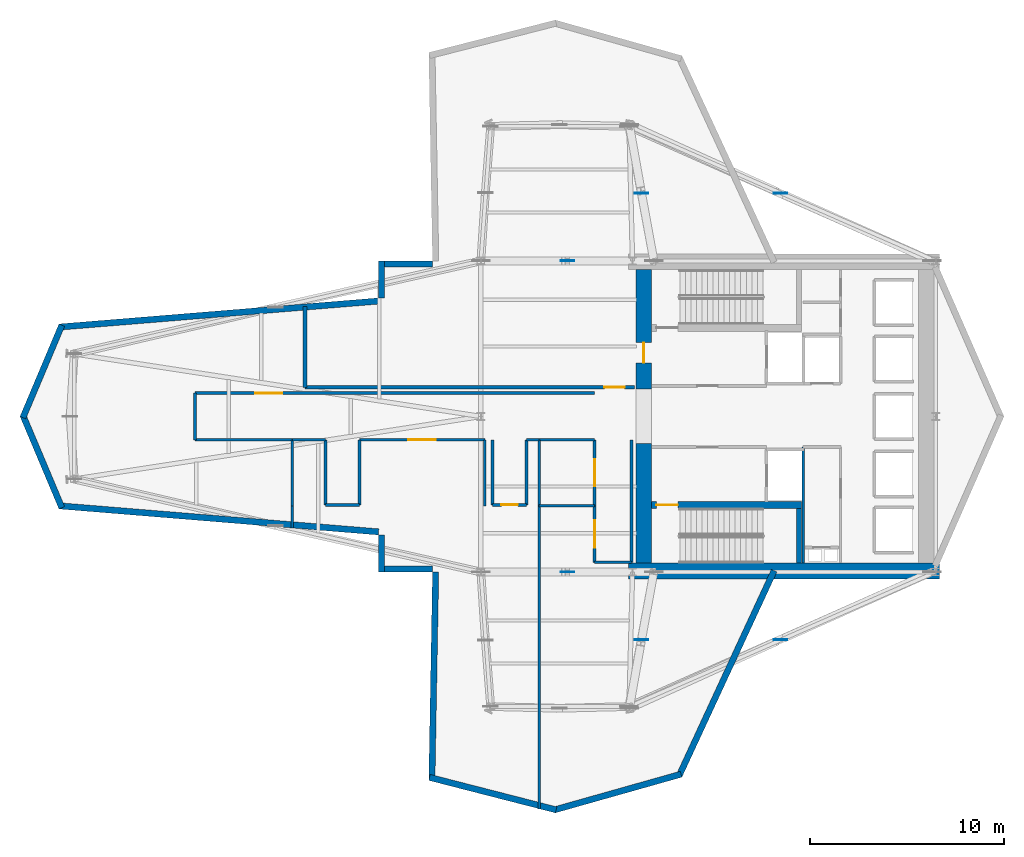
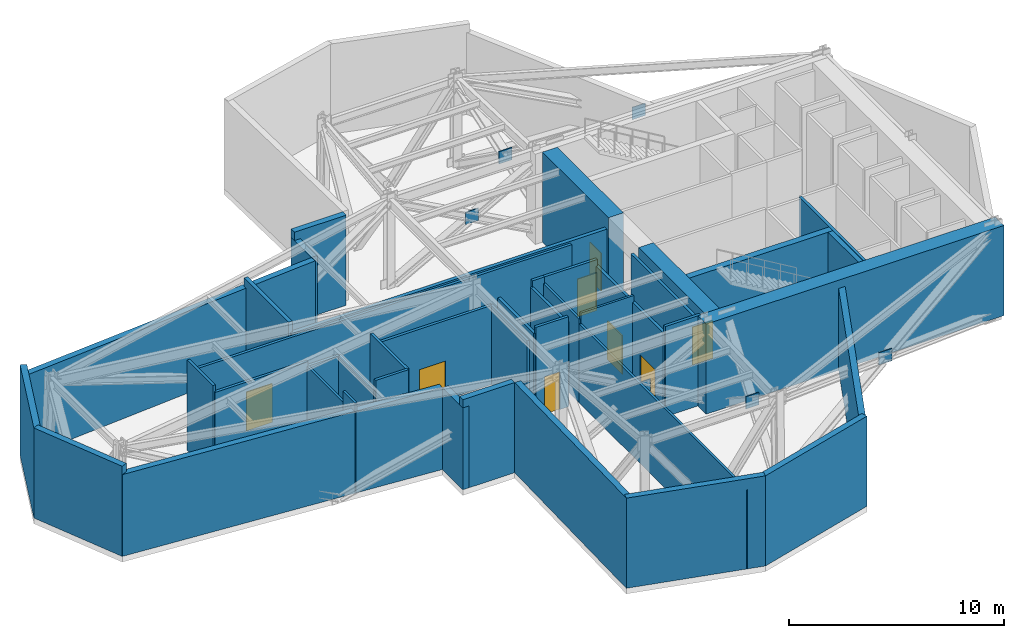
# One storey, part 3 of 6: 43 walls, 8 doors, 6 plates, 8 openings.
"""IFC4 building model written with IfcOpenShell, lengths in metres."""

from ifc_helpers import new_model, si_unit, direction, frame, frame_2d, origin, origin_2d, place, context, subcontext, project, spatial, rectangle, extrude, material, layer, layer_set, type_object, element, fill, save


model = new_model("IFC4")

# Units and contexts
model_context = context("Model", 3, precision=1e-05, world=origin(), true_north=direction((0.0, 1.0)))
body_context = subcontext(model_context, "Body", "Model", "MODEL_VIEW")
ifc_project = project(units=[si_unit("LENGTHUNIT", "METRE"), si_unit("AREAUNIT", "SQUARE_METRE"), si_unit("VOLUMEUNIT", "CUBIC_METRE"), si_unit("PLANEANGLEUNIT", "RADIAN"), si_unit("MASSUNIT", "GRAM", prefix="KILO")], contexts=[model_context])

# Site, building, storey
site_placement = place(None, origin())
site = spatial("IfcSite", under=ifc_project, at=site_placement, CompositionType="ELEMENT")
building_placement = place(site_placement, origin())
building = spatial("IfcBuilding", under=site, at=building_placement, Name="Veymaron Broadcast Tower", CompositionType="ELEMENT")
storey_placement = place(building_placement, frame((0.0, 0.0, 106.64990234375)))
storey = spatial("IfcBuildingStorey", under=building, at=storey_placement, Name="L24", CompositionType="ELEMENT", Elevation=106.64990234375)

# Plates
ifc_material_1 = material(Name="Structural steel ASTM A913 Gr 65", Category="steel")
ifc_layer_1 = layer(ifc_material_1, 0.044921875)
ifc_layer_set_1 = layer_set([ifc_layer_1], Name="Structural steel ASTM A913 Gr 65")
plate_type = type_object("IfcPlateType", Name="PLT-NODE-XN1", PredefinedType="SHEET", material=ifc_layer_set_1)
for number, where, z_axis, x_axis, name in (
    (1, (35.64990234375, 32.0, 2.09521484375), (0.0, 0.0, 1.0), (1.0, 0.0, 0.0), "L24 Outrigger X-brace crossing gusset node XN1"),
    (2, (35.64990234375, 16.0, 2.09521484375), (0.0, 0.0, 1.0), (1.0, 0.0, 0.0), "L24 Outrigger X-brace crossing gusset node XN1"),
    (3, (39.4638671875, 35.482421875, 2.09521484375), (0.0, 0.0, 1.0), (1.0, 0.0, 0.0), "L24 Outrigger X-brace crossing gusset node XN1"),
    (4, (39.4638671875, 12.517578125, 2.09521484375), (0.0, 0.0, 1.0), (1.0, 0.0, 0.0), "L24 Outrigger X-brace crossing gusset node XN1"),
    (5, (46.61376953125, 35.482421875, 2.09521484375), (0.0, 0.0, 1.0), (1.0, 0.0, 0.0), "L24 Outrigger X-brace crossing gusset node XN1"),
    (6, (46.61376953125, 12.517578125, 2.09521484375), (0.0, 0.0, 1.0), (1.0, 0.0, 0.0), "L24 Outrigger X-brace crossing gusset node XN1"),
):
    element("IfcPlate", number, at=place(storey_placement, frame(where, z_axis=z_axis, x_axis=x_axis)), inside=storey, type_object=plate_type, Name=name, PredefinedType="SHEET", context=body_context, shape_type="SweptSolid", body=[
        extrude(rectangle(XDim=0.699951171875, YDim=0.044921875, at=origin_2d()), origin(), (0.0, 0.0, 1.0), 0.699951171875),
    ])

# Walls
ifc_material_2 = material(Name="Precast concrete C40/50", Category="concrete")
ifc_layer_2 = layer(ifc_material_2, 0.320068359375)
ifc_layer_set_2 = layer_set([ifc_layer_2], Name="Precast concrete C40/50")
wall_type_1 = type_object("IfcWallType", Name="WALL-EXT-320", PredefinedType="STANDARD", material=ifc_layer_set_2)
wall_1_placement = place(storey_placement, frame((28.713623046875, 31.840087890625, 0.0), z_axis=(0.0, 0.0, 1.0), x_axis=(-1.0, 0.0, 0.0)))
element("IfcWall", 7, at=wall_1_placement, inside=storey, type_object=wall_type_1, Name="L24 mechanical belt-truss facade band 9-1", PredefinedType="STANDARD", context=body_context, shape_type="SweptSolid", body=[
    extrude(rectangle(XDim=2.78564453125, YDim=0.320068359375, at=frame_2d((1.392822265625, 0.0))), origin(), (0.0, 0.0, 1.0), 5.1201171875),
])
wall_2_placement = place(storey_placement, frame((26.087890625, 32.0, 0.0), z_axis=(0.0, 0.0, 1.0), x_axis=(0.0, -1.0, 0.0)))
element("IfcWall", 8, at=wall_2_placement, inside=storey, type_object=wall_type_1, Name="L24 mechanical belt-truss facade band 10-1", PredefinedType="STANDARD", context=body_context, shape_type="SweptSolid", body=[
    extrude(rectangle(XDim=1.903076171875, YDim=0.320068359375, at=frame_2d((0.95166015625, 0.0))), origin(), (0.0, 0.0, 1.0), 4.648193359375),
])
wall_3_placement = place(storey_placement, frame((25.94091796875, 29.9375, 0.0), z_axis=(0.0, 0.0, 1.0), x_axis=(-0.996692994059, -0.081259310815, 0.0)))
element("IfcWall", 9, at=wall_3_placement, inside=storey, type_object=wall_type_1, Name="L24 mechanical belt-truss facade band 11-1", PredefinedType="STANDARD", context=body_context, shape_type="SweptSolid", body=[
    extrude(rectangle(XDim=16.482421875, YDim=0.320068359375, at=frame_2d((8.2412109375, 0.0))), origin(), (0.0, 0.0, 1.0), 4.648193359375),
])
for number, where, z_axis, x_axis, name in (
    (10, (9.6474609375, 28.695556640625, 0.0), (0.0, 0.0, 1.0), (-0.38817539458, -0.92158551586, 0.0), "L24 mechanical belt-truss facade band 12-1"),
    (11, (7.6435546875, 24.06201171875, 0.0), (0.0, 0.0, 1.0), (0.38817539458, -0.92158551586, 0.0), "L24 mechanical belt-truss facade band 13-1"),
):
    element("IfcWall", number, at=place(storey_placement, frame(where, z_axis=z_axis, x_axis=x_axis)), inside=storey, type_object=wall_type_1, Name=name, PredefinedType="STANDARD", context=body_context, shape_type="SweptSolid", body=[
        extrude(rectangle(XDim=5.162353515625, YDim=0.320068359375, at=frame_2d((2.5810546875, 0.0))), origin(), (0.0, 0.0, 1.0), 5.1201171875),
    ])
wall_4_placement = place(storey_placement, frame((9.512939453125, 19.40185546875, 0.0), z_axis=(0.0, 0.0, 1.0), x_axis=(0.996692994059, -0.081259310815, 0.0)))
element("IfcWall", 12, at=wall_4_placement, inside=storey, type_object=wall_type_1, Name="L24 mechanical belt-truss facade band 14-1", PredefinedType="STANDARD", context=body_context, shape_type="SweptSolid", body=[
    extrude(rectangle(XDim=16.482421875, YDim=0.320068359375, at=frame_2d((8.2412109375, 0.0))), origin(), (0.0, 0.0, 1.0), 4.648193359375),
])
wall_5_placement = place(storey_placement, frame((26.087890625, 17.903076171875, 0.0), z_axis=(0.0, 0.0, 1.0), x_axis=(0.0, -1.0, 0.0)))
element("IfcWall", 13, at=wall_5_placement, inside=storey, type_object=wall_type_1, Name="L24 mechanical belt-truss facade band 15-1", PredefinedType="STANDARD", context=body_context, shape_type="SweptSolid", body=[
    extrude(rectangle(XDim=1.903076171875, YDim=0.320068359375, at=frame_2d((0.95166015625, 0.0))), origin(), (0.0, 0.0, 1.0), 4.648193359375),
])
wall_6_placement = place(storey_placement, frame((25.927978515625, 16.159912109375, 0.0), z_axis=(0.0, 0.0, 1.0), x_axis=(1.0, 0.0, 0.0)))
element("IfcWall", 14, at=wall_6_placement, inside=storey, type_object=wall_type_1, Name="L24 mechanical belt-truss facade band 16-1", PredefinedType="STANDARD", context=body_context, shape_type="SweptSolid", body=[
    extrude(rectangle(XDim=2.78564453125, YDim=0.320068359375, at=frame_2d((1.392822265625, 0.0))), origin(), (0.0, 0.0, 1.0), 5.1201171875),
])
wall_7_placement = place(storey_placement, frame((28.87353515625, 15.9970703125, 0.0), z_axis=(0.0, 0.0, 1.0), x_axis=(-0.017987206329, -0.999838217117, 0.0)))
element("IfcWall", 15, at=wall_7_placement, inside=storey, type_object=wall_type_1, Name="L24 mechanical belt-truss facade band 17-1", PredefinedType="STANDARD", context=body_context, shape_type="SweptSolid", body=[
    extrude(rectangle(XDim=10.72265625, YDim=0.320068359375, at=frame_2d((5.361328125, 0.0))), origin(), (0.0, 0.0, 1.0), 5.1201171875),
])
wall_8_placement = place(storey_placement, frame((28.560546875, 5.43408203125, 0.0), z_axis=(0.0, 0.0, 1.0), x_axis=(0.968632710221, -0.248496826319, 0.0)))
element("IfcWall", 16, at=wall_8_placement, inside=storey, type_object=wall_type_1, Name="L24 mechanical belt-truss facade band 18-1", PredefinedType="STANDARD", context=body_context, shape_type="SweptSolid", body=[
    extrude(rectangle(XDim=6.72119140625, YDim=0.320068359375, at=frame_2d((3.360595703125, 0.0))), origin(), (0.0, 0.0, 1.0), 5.1201171875),
])
wall_9_placement = place(storey_placement, frame((34.987548828125, 3.762939453125, 0.0), z_axis=(0.0, 0.0, 1.0), x_axis=(0.962413642038, 0.27158788931, 0.0)))
element("IfcWall", 17, at=wall_9_placement, inside=storey, type_object=wall_type_1, Name="L24 mechanical belt-truss facade band 19-1", PredefinedType="STANDARD", context=body_context, shape_type="SweptSolid", body=[
    extrude(rectangle(XDim=6.764404296875, YDim=0.320068359375, at=frame_2d((3.38232421875, 0.0))), origin(), (0.0, 0.0, 1.0), 5.1201171875),
])
wall_10_placement = place(storey_placement, frame((41.39599609375, 5.51318359375, 0.0), z_axis=(0.0, 0.0, 1.0), x_axis=(0.420271770487, 0.907398280212, 0.0)))
element("IfcWall", 18, at=wall_10_placement, inside=storey, type_object=wall_type_1, Name="L24 mechanical belt-truss facade band 20-1", PredefinedType="STANDARD", context=body_context, shape_type="SweptSolid", body=[
    extrude(rectangle(XDim=11.631103515625, YDim=0.320068359375, at=frame_2d((5.8154296875, 0.0))), origin(), (0.0, 0.0, 1.0), 4.648193359375),
])
ifc_material_3 = material(Name="Gypsum fireboard and steel stud framing", Category="steel")
ifc_layer_3 = layer(ifc_material_3, 0.14990234375)
ifc_layer_set_3 = layer_set([ifc_layer_3], Name="Gypsum fireboard and steel stud framing")
wall_type_2 = type_object("IfcWallType", Name="WALL-FIRE-150", PredefinedType="PARTITIONING", material=ifc_layer_set_3)
wall_11_placement = place(storey_placement, frame((47.780029296875, 16.449951171875, 0.0), z_axis=(0.0, 0.0, 1.0), x_axis=(0.0, 1.0, 0.0)))
element("IfcWall", 19, at=wall_11_placement, inside=storey, type_object=wall_type_2, Name="L24 partition IW-L24-SM-W", PredefinedType="PARTITIONING", context=body_context, shape_type="SweptSolid", body=[
    extrude(rectangle(XDim=5.97509765625, YDim=0.14990234375, at=frame_2d((2.987548828125, 0.0))), origin(), (0.0, 0.0, 1.0), 5.1201171875),
])

# Wall, opening, door
wall_12_placement = place(storey_placement, frame((37.050048828125, 16.5, 0.0), z_axis=(0.0, 0.0, 1.0), x_axis=(0.0, 1.0, 0.0)))
wall_12 = element("IfcWall", 20, at=wall_12_placement, inside=storey, type_object=wall_type_2, Name="L24 partition IW-L24-P02", PredefinedType="PARTITIONING", context=body_context, shape_type="SweptSolid", body=[
    extrude(rectangle(XDim=2.89990234375, YDim=0.14990234375, at=frame_2d((1.449951171875, 0.0))), origin(), (0.0, 0.0, 1.0), 4.753173828125),
])
opening_1_placement = place(wall_12_placement, frame((0.75, 0.0, 0.0)))
opening_1 = element("IfcOpeningElement", 21, at=opening_1_placement, cuts=wall_12, Name="Opening ID-PL1", PredefinedType="OPENING", context=body_context, shape_type="SweptSolid", body=[
    extrude(rectangle(XDim=1.39990234375, YDim=2.199951171875, at=frame_2d((0.699951171875, 1.10009765625))), frame((0.0, 0.0849609375, 0.0), z_axis=(0.0, -1.0, 0.0), x_axis=(1.0, 0.0, 0.0)), (0.0, 0.0, 1.0), 0.169921875),
])
ifc_material_4 = material(Name="Heavy-duty acoustic galvanized steel", Category="steel")
door_type_1 = type_object("IfcDoorType", Name="DOOR-PLANT-1400", OperationType="DOUBLE_DOOR_SINGLE_SWING", PredefinedType="DOOR", material=ifc_material_4)
door_1_placement = place(opening_1_placement, origin())
door_1 = element("IfcDoor", 22, at=door_1_placement, inside=storey, type_object=door_type_1, Name="L24 door DR-L24-P02", OperationType="SINGLE_SWING_LEFT", OverallHeight=2.199951171875, OverallWidth=1.39990234375, PredefinedType="DOOR", context=body_context, shape_type="SweptSolid", body=[
    extrude(rectangle(XDim=1.39990234375, YDim=2.199951171875, at=frame_2d((0.699951171875, 1.10009765625))), frame((0.0, 0.02490234375, 0.0), z_axis=(0.0, -1.0, 0.0), x_axis=(1.0, 0.0, 0.0)), (0.0, 0.0, 1.0), 0.050048828125),
])
fill(opening_1, door_1)

wall_13_placement = place(storey_placement, frame((31.800048828125, 19.449951171875, 0.0), z_axis=(0.0, 0.0, 1.0), x_axis=(1.0, 0.0, 0.0)))
wall_13 = element("IfcWall", 23, at=wall_13_placement, inside=storey, type_object=wall_type_2, Name="L24 partition IW-L24-P06", PredefinedType="PARTITIONING", context=body_context, shape_type="SweptSolid", body=[
    extrude(rectangle(XDim=1.75, YDim=0.14990234375, at=frame_2d((0.875, 0.0))), origin(), (0.0, 0.0, 1.0), 5.1201171875),
])
opening_2_placement = place(wall_13_placement, frame((0.449951171875, 0.0, 0.0)))
opening_2 = element("IfcOpeningElement", 24, at=opening_2_placement, cuts=wall_13, Name="Opening ID-WC1", PredefinedType="OPENING", context=body_context, shape_type="SweptSolid", body=[
    extrude(rectangle(XDim=0.85009765625, YDim=2.14990234375, at=frame_2d((0.425048828125, 1.074951171875))), frame((0.0, 0.0849609375, 0.0), z_axis=(0.0, -1.0, 0.0), x_axis=(1.0, 0.0, 0.0)), (0.0, 0.0, 1.0), 0.169921875),
])
ifc_material_5 = material(Name="Moisture-resistant high-pressure laminate timber", Category="wood")
door_type_2 = type_object("IfcDoorType", Name="DOOR-INT-850", OperationType="NOTDEFINED", PredefinedType="DOOR", material=ifc_material_5)
door_2_placement = place(opening_2_placement, frame((0.85009765625, 0.0, 0.0), z_axis=(0.0, 0.0, 1.0), x_axis=(-1.0, 0.0, 0.0)))
door_2 = element("IfcDoor", 25, at=door_2_placement, inside=storey, type_object=door_type_2, Name="L24 door DR-L24-P06", OperationType="SINGLE_SWING_LEFT", OverallHeight=2.14990234375, OverallWidth=0.85009765625, PredefinedType="DOOR", context=body_context, shape_type="SweptSolid", body=[
    extrude(rectangle(XDim=0.85009765625, YDim=2.14990234375, at=frame_2d((0.425048828125, 1.074951171875))), frame((0.0, 0.02490234375, 0.0), z_axis=(0.0, -1.0, 0.0), x_axis=(1.0, 0.0, 0.0)), (0.0, 0.0, 1.0), 0.050048828125),
])
fill(opening_2, door_2)

wall_14_placement = place(storey_placement, frame((24.949951171875, 22.800048828125, 0.0), z_axis=(0.0, 0.0, 1.0), x_axis=(1.0, 0.0, 0.0)))
wall_14 = element("IfcWall", 26, at=wall_14_placement, inside=storey, type_object=wall_type_2, Name="L24 partition IW-L24-P08", PredefinedType="PARTITIONING", context=body_context, shape_type="SweptSolid", body=[
    extrude(rectangle(XDim=6.449951171875, YDim=0.14990234375, at=frame_2d((3.22509765625, 0.0))), origin(), (0.0, 0.0, 1.0), 4.5),
])
opening_3_placement = place(wall_14_placement, frame((2.52490234375, 0.0, 0.0)))
opening_3 = element("IfcOpeningElement", 27, at=opening_3_placement, cuts=wall_14, Name="Opening ID-PL1", PredefinedType="OPENING", context=body_context, shape_type="SweptSolid", body=[
    extrude(rectangle(XDim=1.39990234375, YDim=2.199951171875, at=frame_2d((0.699951171875, 1.10009765625))), frame((0.0, 0.0849609375, 0.0), z_axis=(0.0, -1.0, 0.0), x_axis=(1.0, 0.0, 0.0)), (0.0, 0.0, 1.0), 0.169921875),
])
door_3_placement = place(opening_3_placement, frame((1.39990234375, 0.0, 0.0), z_axis=(0.0, 0.0, 1.0), x_axis=(-1.0, 0.0, 0.0)))
door_3 = element("IfcDoor", 28, at=door_3_placement, inside=storey, type_object=door_type_1, Name="L24 door DR-L24-P08", OperationType="SINGLE_SWING_LEFT", OverallHeight=2.199951171875, OverallWidth=1.39990234375, PredefinedType="DOOR", context=body_context, shape_type="SweptSolid", body=[
    extrude(rectangle(XDim=1.39990234375, YDim=2.199951171875, at=frame_2d((0.699951171875, 1.10009765625))), frame((0.0, 0.02490234375, 0.0), z_axis=(0.0, -1.0, 0.0), x_axis=(1.0, 0.0, 0.0)), (0.0, 0.0, 1.0), 0.050048828125),
])
fill(opening_3, door_3)

wall_15_placement = place(storey_placement, frame((37.050048828125, 19.39990234375, 0.0), z_axis=(0.0, 0.0, 1.0), x_axis=(0.0, 1.0, 0.0)))
wall_15 = element("IfcWall", 29, at=wall_15_placement, inside=storey, type_object=wall_type_2, Name="L24 partition IW-L24-P13", PredefinedType="PARTITIONING", context=body_context, shape_type="SweptSolid", body=[
    extrude(rectangle(XDim=3.400146484375, YDim=0.14990234375, at=frame_2d((1.7001953125, 0.0))), origin(), (0.0, 0.0, 1.0), 4.753173828125),
])
opening_4_placement = place(wall_15_placement, frame((1.0, 0.0, 0.0)))
opening_4 = element("IfcOpeningElement", 30, at=opening_4_placement, cuts=wall_15, Name="Opening ID-PL1", PredefinedType="OPENING", context=body_context, shape_type="SweptSolid", body=[
    extrude(rectangle(XDim=1.39990234375, YDim=2.199951171875, at=frame_2d((0.699951171875, 1.10009765625))), frame((0.0, 0.0849609375, 0.0), z_axis=(0.0, -1.0, 0.0), x_axis=(1.0, 0.0, 0.0)), (0.0, 0.0, 1.0), 0.169921875),
])
door_4_placement = place(opening_4_placement, origin())
door_4 = element("IfcDoor", 31, at=door_4_placement, inside=storey, type_object=door_type_1, Name="L24 door DR-L24-P13", OperationType="SINGLE_SWING_LEFT", OverallHeight=2.199951171875, OverallWidth=1.39990234375, PredefinedType="DOOR", context=body_context, shape_type="SweptSolid", body=[
    extrude(rectangle(XDim=1.39990234375, YDim=2.199951171875, at=frame_2d((0.699951171875, 1.10009765625))), frame((0.0, 0.02490234375, 0.0), z_axis=(0.0, -1.0, 0.0), x_axis=(1.0, 0.0, 0.0)), (0.0, 0.0, 1.0), 0.050048828125),
])
fill(opening_4, door_4)

wall_16_placement = place(storey_placement, frame((16.5, 25.199951171875, 0.0), z_axis=(0.0, 0.0, 1.0), x_axis=(1.0, 0.0, 0.0)))
wall_16 = element("IfcWall", 32, at=wall_16_placement, inside=storey, type_object=wall_type_2, Name="L24 partition IW-L24-P15", PredefinedType="PARTITIONING", context=body_context, shape_type="SweptSolid", body=[
    extrude(rectangle(XDim=20.550048828125, YDim=0.14990234375, at=frame_2d((10.27490234375, 0.0))), origin(), (0.0, 0.0, 1.0), 4.5),
])
opening_5_placement = place(wall_16_placement, frame((3.094970703125, 0.0, 0.0)))
opening_5 = element("IfcOpeningElement", 33, at=opening_5_placement, cuts=wall_16, Name="Opening ID-PL1", PredefinedType="OPENING", context=body_context, shape_type="SweptSolid", body=[
    extrude(rectangle(XDim=1.39990234375, YDim=2.199951171875, at=frame_2d((0.699951171875, 1.10009765625))), frame((0.0, 0.0849609375, 0.0), z_axis=(0.0, -1.0, 0.0), x_axis=(1.0, 0.0, 0.0)), (0.0, 0.0, 1.0), 0.169921875),
])
door_5_placement = place(opening_5_placement, frame((1.39990234375, 0.0, 0.0), z_axis=(0.0, 0.0, 1.0), x_axis=(-1.0, 0.0, 0.0)))
door_5 = element("IfcDoor", 34, at=door_5_placement, inside=storey, type_object=door_type_1, Name="L24 door DR-L24-P15", OperationType="SINGLE_SWING_LEFT", OverallHeight=2.199951171875, OverallWidth=1.39990234375, PredefinedType="DOOR", context=body_context, shape_type="SweptSolid", body=[
    extrude(rectangle(XDim=1.39990234375, YDim=2.199951171875, at=frame_2d((0.699951171875, 1.10009765625))), frame((0.0, 0.02490234375, 0.0), z_axis=(0.0, -1.0, 0.0), x_axis=(1.0, 0.0, 0.0)), (0.0, 0.0, 1.0), 0.050048828125),
])
fill(opening_5, door_5)

# Walls
wall_17_placement = place(storey_placement, frame((38.949951171875, 16.5, 0.0), z_axis=(0.0, 0.0, 1.0), x_axis=(0.0, 1.0, 0.0)))
element("IfcWall", 35, at=wall_17_placement, inside=storey, type_object=wall_type_2, Name="L24 partition IW-L24-P01", PredefinedType="PARTITIONING", context=body_context, shape_type="SweptSolid", body=[
    extrude(rectangle(XDim=6.300048828125, YDim=0.14990234375, at=frame_2d((3.14990234375, 0.0))), origin(), (0.0, 0.0, 1.0), 4.753173828125),
])
wall_18_placement = place(storey_placement, frame((37.050048828125, 16.5, 0.0), z_axis=(0.0, 0.0, 1.0), x_axis=(1.0, 0.0, 0.0)))
element("IfcWall", 36, at=wall_18_placement, inside=storey, type_object=wall_type_2, Name="L24 partition IW-L24-P03", PredefinedType="PARTITIONING", context=body_context, shape_type="SweptSolid", body=[
    extrude(rectangle(XDim=1.89990234375, YDim=0.14990234375, at=frame_2d((0.949951171875, 0.0))), origin(), (0.0, 0.0, 1.0), 5.1201171875),
])
for number, where, z_axis, x_axis, name in (
    (37, (33.550048828125, 19.449951171875, 0.0), (0.0, 0.0, 1.0), (0.0, 1.0, 0.0), "L24 partition IW-L24-P04"),
    (38, (31.800048828125, 19.449951171875, 0.0), (0.0, 0.0, 1.0), (0.0, 1.0, 0.0), "L24 partition IW-L24-P05"),
):
    element("IfcWall", number, at=place(storey_placement, frame(where, z_axis=z_axis, x_axis=x_axis)), inside=storey, type_object=wall_type_2, Name=name, PredefinedType="PARTITIONING", context=body_context, shape_type="SweptSolid", body=[
        extrude(rectangle(XDim=3.35009765625, YDim=0.14990234375, at=frame_2d((1.675048828125, 0.0))), origin(), (0.0, 0.0, 1.0), 4.753173828125),
    ])
wall_19_placement = place(storey_placement, frame((33.550048828125, 22.800048828125, 0.0), z_axis=(0.0, 0.0, 1.0), x_axis=(1.0, 0.0, 0.0)))
element("IfcWall", 39, at=wall_19_placement, inside=storey, type_object=wall_type_2, Name="L24 partition IW-L24-P07", PredefinedType="PARTITIONING", context=body_context, shape_type="SweptSolid", body=[
    extrude(rectangle(XDim=0.64990234375, YDim=0.14990234375, at=frame_2d((0.324951171875, 0.0))), origin(), (0.0, 0.0, 1.0), 5.1201171875),
])
wall_20_placement = place(storey_placement, frame((24.949951171875, 19.449951171875, 0.0), z_axis=(0.0, 0.0, 1.0), x_axis=(0.0, 1.0, 0.0)))
element("IfcWall", 40, at=wall_20_placement, inside=storey, type_object=wall_type_2, Name="L24 partition IW-L24-P09", PredefinedType="PARTITIONING", context=body_context, shape_type="SweptSolid", body=[
    extrude(rectangle(XDim=3.35009765625, YDim=0.14990234375, at=frame_2d((1.675048828125, 0.0))), origin(), (0.0, 0.0, 1.0), 5.1201171875),
])
wall_21_placement = place(storey_placement, frame((23.199951171875, 19.449951171875, 0.0), z_axis=(0.0, 0.0, 1.0), x_axis=(0.0, 1.0, 0.0)))
element("IfcWall", 41, at=wall_21_placement, inside=storey, type_object=wall_type_2, Name="L24 partition IW-L24-P10", PredefinedType="PARTITIONING", context=body_context, shape_type="SweptSolid", body=[
    extrude(rectangle(XDim=3.35009765625, YDim=0.14990234375, at=frame_2d((1.675048828125, 0.0))), origin(), (0.0, 0.0, 1.0), 4.5),
])
wall_22_placement = place(storey_placement, frame((23.199951171875, 19.449951171875, 0.0), z_axis=(0.0, 0.0, 1.0), x_axis=(1.0, 0.0, 0.0)))
element("IfcWall", 42, at=wall_22_placement, inside=storey, type_object=wall_type_2, Name="L24 partition IW-L24-P11", PredefinedType="PARTITIONING", context=body_context, shape_type="SweptSolid", body=[
    extrude(rectangle(XDim=1.75, YDim=0.14990234375, at=frame_2d((0.875, 0.0))), origin(), (0.0, 0.0, 1.0), 5.1201171875),
])
wall_23_placement = place(storey_placement, frame((21.5, 22.800048828125, 0.0), z_axis=(0.0, 0.0, 1.0), x_axis=(1.0, 0.0, 0.0)))
element("IfcWall", 43, at=wall_23_placement, inside=storey, type_object=wall_type_2, Name="L24 partition IW-L24-P12", PredefinedType="PARTITIONING", context=body_context, shape_type="SweptSolid", body=[
    extrude(rectangle(XDim=1.699951171875, YDim=0.14990234375, at=frame_2d((0.85009765625, 0.0))), origin(), (0.0, 0.0, 1.0), 4.5),
])
wall_24_placement = place(storey_placement, frame((34.199951171875, 22.800048828125, 0.0), z_axis=(0.0, 0.0, 1.0), x_axis=(1.0, 0.0, 0.0)))
element("IfcWall", 44, at=wall_24_placement, inside=storey, type_object=wall_type_2, Name="L24 partition IW-L24-P14", PredefinedType="PARTITIONING", context=body_context, shape_type="SweptSolid", body=[
    extrude(rectangle(XDim=2.85009765625, YDim=0.14990234375, at=frame_2d((1.425048828125, 0.0))), origin(), (0.0, 0.0, 1.0), 5.1201171875),
])
wall_25_placement = place(storey_placement, frame((16.5, 22.800048828125, 0.0), z_axis=(0.0, 0.0, 1.0), x_axis=(1.0, 0.0, 0.0)))
element("IfcWall", 45, at=wall_25_placement, inside=storey, type_object=wall_type_2, Name="L24 partition IW-L24-P16", PredefinedType="PARTITIONING", context=body_context, shape_type="SweptSolid", body=[
    extrude(rectangle(XDim=5.0, YDim=0.14990234375, at=frame_2d((2.5, 0.0))), origin(), (0.0, 0.0, 1.0), 4.753173828125),
])
wall_26_placement = place(storey_placement, frame((16.5, 22.800048828125, 0.0), z_axis=(0.0, 0.0, 1.0), x_axis=(0.0, 1.0, 0.0)))
element("IfcWall", 46, at=wall_26_placement, inside=storey, type_object=wall_type_2, Name="L24 partition IW-L24-P17", PredefinedType="PARTITIONING", context=body_context, shape_type="SweptSolid", body=[
    extrude(rectangle(XDim=2.39990234375, YDim=0.14990234375, at=frame_2d((1.199951171875, 0.0))), origin(), (0.0, 0.0, 1.0), 5.1201171875),
])

# Wall, opening, door
ifc_material_6 = material(Name="Concrete C40/50", Category="concrete")
ifc_layer_4 = layer(ifc_material_6, 0.199951171875)
ifc_layer_set_4 = layer_set([ifc_layer_4], Name="Concrete C40/50")
wall_type_3 = type_object("IfcWallType", Name="WALL-FIRE-200", PredefinedType="SOLIDWALL", material=ifc_layer_set_4)
wall_27_placement = place(storey_placement, frame((22.14990234375, 25.5, 0.0), z_axis=(0.0, 0.0, 1.0), x_axis=(1.0, 0.0, 0.0)))
wall_27 = element("IfcWall", 47, at=wall_27_placement, inside=storey, type_object=wall_type_3, Name="L24 partition IW-L24-REFG-S", PredefinedType="SOLIDWALL", context=body_context, shape_type="SweptSolid", body=[
    extrude(rectangle(XDim=16.9501953125, YDim=0.199951171875, at=frame_2d((8.47509765625, 0.0))), origin(), (0.0, 0.0, 1.0), 4.5),
])
opening_6_placement = place(wall_27_placement, frame((15.39990234375, 0.0, 0.0)))
opening_6 = element("IfcOpeningElement", 48, at=opening_6_placement, cuts=wall_27, Name="Opening ID-FL1", PredefinedType="OPENING", context=body_context, shape_type="SweptSolid", body=[
    extrude(rectangle(XDim=1.050048828125, YDim=2.14990234375, at=frame_2d((0.52490234375, 1.074951171875))), frame((0.0, 0.10986328125, 0.0), z_axis=(0.0, -1.0, 0.0), x_axis=(1.0, 0.0, 0.0)), (0.0, 0.0, 1.0), 0.219970703125),
])
ifc_material_7 = material(Name="Fire-rated painted hollow steel ASTM A653", Category="steel")
door_type_3 = type_object("IfcDoorType", Name="DOOR-FIRE-1050", OperationType="NOTDEFINED", PredefinedType="DOOR", material=ifc_material_7)
door_6_placement = place(opening_6_placement, origin())
door_6 = element("IfcDoor", 49, at=door_6_placement, inside=storey, type_object=door_type_3, Name="L24 door DR-L24-REFG", OperationType="SINGLE_SWING_LEFT", OverallHeight=2.14990234375, OverallWidth=1.050048828125, PredefinedType="DOOR", context=body_context, shape_type="SweptSolid", body=[
    extrude(rectangle(XDim=1.050048828125, YDim=2.14990234375, at=frame_2d((0.52490234375, 1.074951171875))), frame((0.0, 0.02490234375, 0.0), z_axis=(0.0, -1.0, 0.0), x_axis=(1.0, 0.0, 0.0)), (0.0, 0.0, 1.0), 0.050048828125),
])
fill(opening_6, door_6)

# Walls
wall_28_placement = place(storey_placement, frame((22.14990234375, 25.5, 0.0), z_axis=(0.0, 0.0, 1.0), x_axis=(0.0, 1.0, 0.0)))
element("IfcWall", 50, at=wall_28_placement, inside=storey, type_object=wall_type_3, Name="L24 partition IW-L24-REFG-W", PredefinedType="SOLIDWALL", context=body_context, shape_type="SweptSolid", body=[
    extrude(rectangle(XDim=4.14892578125, YDim=0.199951171875, at=frame_2d((2.074462890625, 0.0))), origin(), (0.0, 0.0, 1.0), 5.1201171875),
])
ifc_material_8 = material(Name="Acoustic gypsum board and galvanized stud", Category="gypsum")
ifc_layer_5 = layer(ifc_material_8, 0.1201171875)
ifc_layer_set_5 = layer_set([ifc_layer_5], Name="Acoustic gypsum board and galvanized stud")
wall_type_4 = type_object("IfcWallType", Name="WALL-PART-120", PredefinedType="PARTITIONING", material=ifc_layer_set_5)
wall_29_placement = place(storey_placement, frame((34.199951171875, 3.822265625, 0.0), z_axis=(0.0, 0.0, 1.0), x_axis=(0.0, 1.0, 0.0)))
element("IfcWall", 51, at=wall_29_placement, inside=storey, type_object=wall_type_4, Name="L24 partition IW-L24-P18", PredefinedType="PARTITIONING", context=body_context, shape_type="SweptSolid", body=[
    extrude(rectangle(XDim=15.57763671875, YDim=0.1201171875, at=frame_2d((7.788818359375, 0.0))), origin(), (0.0, 0.0, 1.0), 4.5),
])
wall_30_placement = place(storey_placement, frame((34.199951171875, 19.39990234375, 0.0), z_axis=(0.0, 0.0, 1.0), x_axis=(1.0, 0.0, 0.0)))
element("IfcWall", 52, at=wall_30_placement, inside=storey, type_object=wall_type_4, Name="L24 partition IW-L24-P19", PredefinedType="PARTITIONING", context=body_context, shape_type="SweptSolid", body=[
    extrude(rectangle(XDim=2.85009765625, YDim=0.1201171875, at=frame_2d((1.425048828125, 0.0))), origin(), (0.0, 0.0, 1.0), 5.1201171875),
])
wall_31_placement = place(storey_placement, frame((31.39990234375, 19.39990234375, 0.0), z_axis=(0.0, 0.0, 1.0), x_axis=(0.0, 1.0, 0.0)))
element("IfcWall", 53, at=wall_31_placement, inside=storey, type_object=wall_type_4, Name="L24 partition IW-L24-P21", PredefinedType="PARTITIONING", context=body_context, shape_type="SweptSolid", body=[
    extrude(rectangle(XDim=3.400146484375, YDim=0.1201171875, at=frame_2d((1.7001953125, 0.0))), origin(), (0.0, 0.0, 1.0), 4.5),
])
wall_32_placement = place(storey_placement, frame((34.199951171875, 19.39990234375, 0.0), z_axis=(0.0, 0.0, 1.0), x_axis=(0.0, 1.0, 0.0)))
element("IfcWall", 54, at=wall_32_placement, inside=storey, type_object=wall_type_4, Name="L24 partition IW-L24-P22", PredefinedType="PARTITIONING", context=body_context, shape_type="SweptSolid", body=[
    extrude(rectangle(XDim=3.400146484375, YDim=0.1201171875, at=frame_2d((1.7001953125, 0.0))), origin(), (0.0, 0.0, 1.0), 4.753173828125),
])
wall_33_placement = place(storey_placement, frame((21.5, 18.26416015625, 0.0), z_axis=(0.0, 0.0, 1.0), x_axis=(0.0, 1.0, 0.0)))
element("IfcWall", 55, at=wall_33_placement, inside=storey, type_object=wall_type_4, Name="L24 partition IW-L24-P23", PredefinedType="PARTITIONING", context=body_context, shape_type="SweptSolid", body=[
    extrude(rectangle(XDim=1.1357421875, YDim=0.1201171875, at=frame_2d((0.56787109375, 0.0))), origin(), (0.0, 0.0, 1.0), 5.1201171875),
])
wall_34_placement = place(storey_placement, frame((21.5, 19.39990234375, 0.0), z_axis=(0.0, 0.0, 1.0), x_axis=(0.0, 1.0, 0.0)))
element("IfcWall", 56, at=wall_34_placement, inside=storey, type_object=wall_type_4, Name="L24 partition IW-L24-P24", PredefinedType="PARTITIONING", context=body_context, shape_type="SweptSolid", body=[
    extrude(rectangle(XDim=3.400146484375, YDim=0.1201171875, at=frame_2d((1.7001953125, 0.0))), origin(), (0.0, 0.0, 1.0), 4.5),
])
ifc_material_9 = material(Name="Concrete C50/60", Category="concrete")
ifc_layer_6 = layer(ifc_material_9, 0.25)
ifc_layer_set_6 = layer_set([ifc_layer_6], Name="Concrete C50/60")
wall_type_5 = type_object("IfcWallType", Name="WALL-SHEAR-250", PredefinedType="SHEAR", material=ifc_layer_set_6)
wall_35_placement = place(storey_placement, frame((47.56494140625, 16.449951171875, 0.0), z_axis=(0.0, 0.0, 1.0), x_axis=(0.0, 1.0, 0.0)))
element("IfcWall", 57, at=wall_35_placement, inside=storey, type_object=wall_type_5, Name="L24 Core Wall south stair east shear", PredefinedType="SHEAR", context=body_context, shape_type="SweptSolid", body=[
    extrude(rectangle(XDim=2.820068359375, YDim=0.25, at=frame_2d((1.41015625, 0.0))), origin(), (0.0, 0.0, 1.0), 5.1201171875),
])

# Wall, opening, door
ifc_layer_7 = layer(ifc_material_9, 0.35009765625)
ifc_layer_set_7 = layer_set([ifc_layer_7], Name="Concrete C50/60")
wall_type_6 = type_object("IfcWallType", Name="WALL-SHEAR-350", PredefinedType="SHEAR", material=ifc_layer_set_7)
wall_36_placement = place(storey_placement, frame((39.97998046875, 19.445068359375, 0.0), z_axis=(0.0, 0.0, 1.0), x_axis=(1.0, 0.0, 0.0)))
wall_36 = element("IfcWall", 58, at=wall_36_placement, inside=storey, type_object=wall_type_6, Name="L24 Core Wall south stair spine", PredefinedType="SHEAR", context=body_context, shape_type="SweptSolid", body=[
    extrude(rectangle(XDim=7.7099609375, YDim=0.35009765625, at=frame_2d((3.85498046875, 0.0))), origin(), (0.0, 0.0, 1.0), 5.1201171875),
])
opening_7_placement = place(wall_36_placement, frame((0.25, 0.0, 0.0)))
opening_7 = element("IfcOpeningElement", 59, at=opening_7_placement, cuts=wall_36, Name="Opening ID-ST1", PredefinedType="OPENING", context=body_context, shape_type="SweptSolid", body=[
    extrude(rectangle(XDim=1.10009765625, YDim=2.14990234375, at=frame_2d((0.550048828125, 1.074951171875))), frame((0.0, 0.18505859375, 0.0), z_axis=(0.0, -1.0, 0.0), x_axis=(1.0, 0.0, 0.0)), (0.0, 0.0, 1.0), 0.3701171875),
])
door_type_4 = type_object("IfcDoorType", Name="DOOR-STAIR-1100", OperationType="NOTDEFINED", PredefinedType="DOOR", material=ifc_material_7)
door_7_placement = place(opening_7_placement, frame((1.10009765625, 0.0, 0.0), z_axis=(0.0, 0.0, 1.0), x_axis=(-1.0, 0.0, 0.0)))
door_7 = element("IfcDoor", 60, at=door_7_placement, inside=storey, type_object=door_type_4, Name="L24 exit stair ST2 fire door", OperationType="SINGLE_SWING_RIGHT", OverallHeight=2.14990234375, OverallWidth=1.10009765625, PredefinedType="DOOR", context=body_context, shape_type="SweptSolid", body=[
    extrude(rectangle(XDim=1.10009765625, YDim=2.14990234375, at=frame_2d((0.550048828125, 1.074951171875))), frame((0.0, 0.02490234375, 0.0), z_axis=(0.0, -1.0, 0.0), x_axis=(1.0, 0.0, 0.0)), (0.0, 0.0, 1.0), 0.050048828125),
])
fill(opening_7, door_7)

# Walls
ifc_material_10 = material(Name="Concrete C60/75", Category="concrete")
ifc_layer_8 = layer(ifc_material_10, 0.800048828125)
ifc_layer_set_8 = layer_set([ifc_layer_8], Name="Concrete C60/75")
wall_type_7 = type_object("IfcWallType", Name="WALL-SHEAR-800", PredefinedType="SHEAR", material=ifc_layer_set_8)
wall_37_placement = place(storey_placement, frame((38.800048828125, 16.050048828125, 0.0), z_axis=(0.0, 0.0, 1.0), x_axis=(1.0, 0.0, 0.0)))
element("IfcWall", 61, at=wall_37_placement, inside=storey, type_object=wall_type_7, Name="L24 Core Wall south shear", PredefinedType="SHEAR", context=body_context, shape_type="SweptSolid", body=[
    extrude(rectangle(XDim=16.0, YDim=0.800048828125, at=frame_2d((8.0, 0.0))), origin(), (0.0, 0.0, 1.0), 5.1201171875),
])
wall_38_placement = place(storey_placement, frame((39.580078125, 16.449951171875, 0.0), z_axis=(0.0, 0.0, 1.0), x_axis=(0.0, 1.0, 0.0)))
element("IfcWall", 62, at=wall_38_placement, inside=storey, type_object=wall_type_7, Name="L24 Core Wall west-south shear", PredefinedType="SHEAR", context=body_context, shape_type="SweptSolid", body=[
    extrude(rectangle(XDim=6.150146484375, YDim=0.800048828125, at=frame_2d((3.0751953125, 0.0))), origin(), (0.0, 0.0, 1.0), 5.1201171875),
])

# Wall, opening, door
wall_39_placement = place(storey_placement, frame((39.580078125, 25.39990234375, 0.0), z_axis=(0.0, 0.0, 1.0), x_axis=(0.0, 1.0, 0.0)))
wall_39 = element("IfcWall", 63, at=wall_39_placement, inside=storey, type_object=wall_type_7, Name="L24 Core Wall west-north shear", PredefinedType="SHEAR", context=body_context, shape_type="SweptSolid", body=[
    extrude(rectangle(XDim=6.150146484375, YDim=0.800048828125, at=frame_2d((3.0751953125, 0.0))), origin(), (0.0, 0.0, 1.0), 5.1201171875),
])
opening_8_placement = place(wall_39_placement, frame((1.35009765625, 0.0, 0.0)))
opening_8 = element("IfcOpeningElement", 64, at=opening_8_placement, cuts=wall_39, Name="Opening ID-FL1", PredefinedType="OPENING", context=body_context, shape_type="SweptSolid", body=[
    extrude(rectangle(XDim=1.050048828125, YDim=2.14990234375, at=frame_2d((0.52490234375, 1.074951171875))), frame((0.0, 0.41015625, 0.0), z_axis=(0.0, -1.0, 0.0), x_axis=(1.0, 0.0, 0.0)), (0.0, 0.0, 1.0), 0.820068359375),
])
door_8_placement = place(opening_8_placement, origin())
door_8 = element("IfcDoor", 65, at=door_8_placement, inside=storey, type_object=door_type_3, Name="L24 refuge direct stair-lobby fire door", OperationType="SINGLE_SWING_LEFT", OverallHeight=2.14990234375, OverallWidth=1.050048828125, PredefinedType="DOOR", context=body_context, shape_type="SweptSolid", body=[
    extrude(rectangle(XDim=1.050048828125, YDim=2.14990234375, at=frame_2d((0.52490234375, 1.074951171875))), frame((0.0, 0.02490234375, 0.0), z_axis=(0.0, -1.0, 0.0), x_axis=(1.0, 0.0, 0.0)), (0.0, 0.0, 1.0), 0.050048828125),
])
fill(opening_8, door_8)

save(model, "model.ifc")
